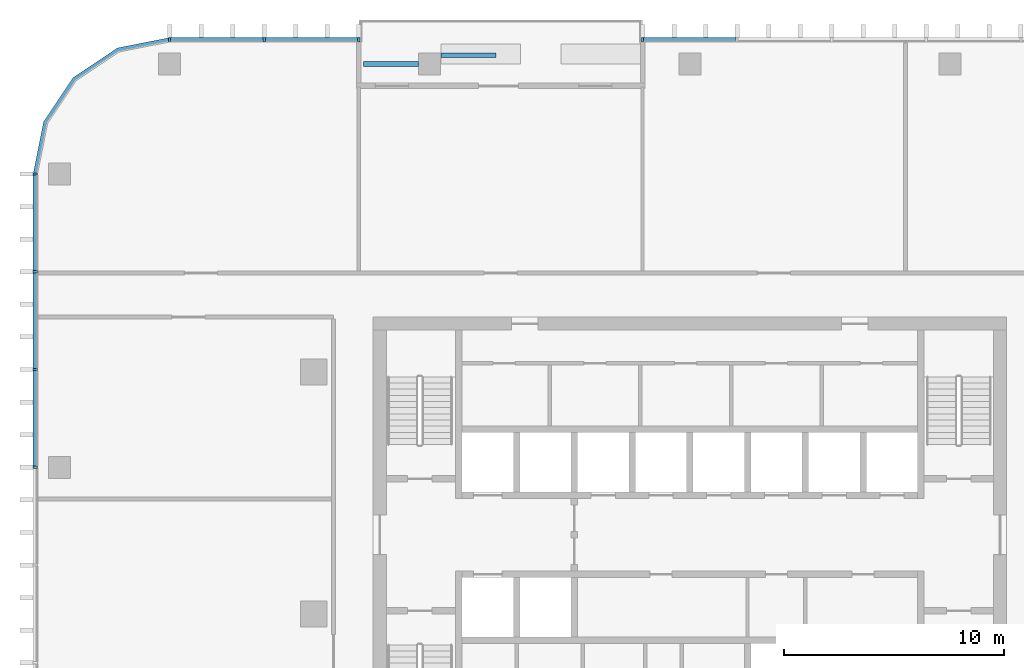
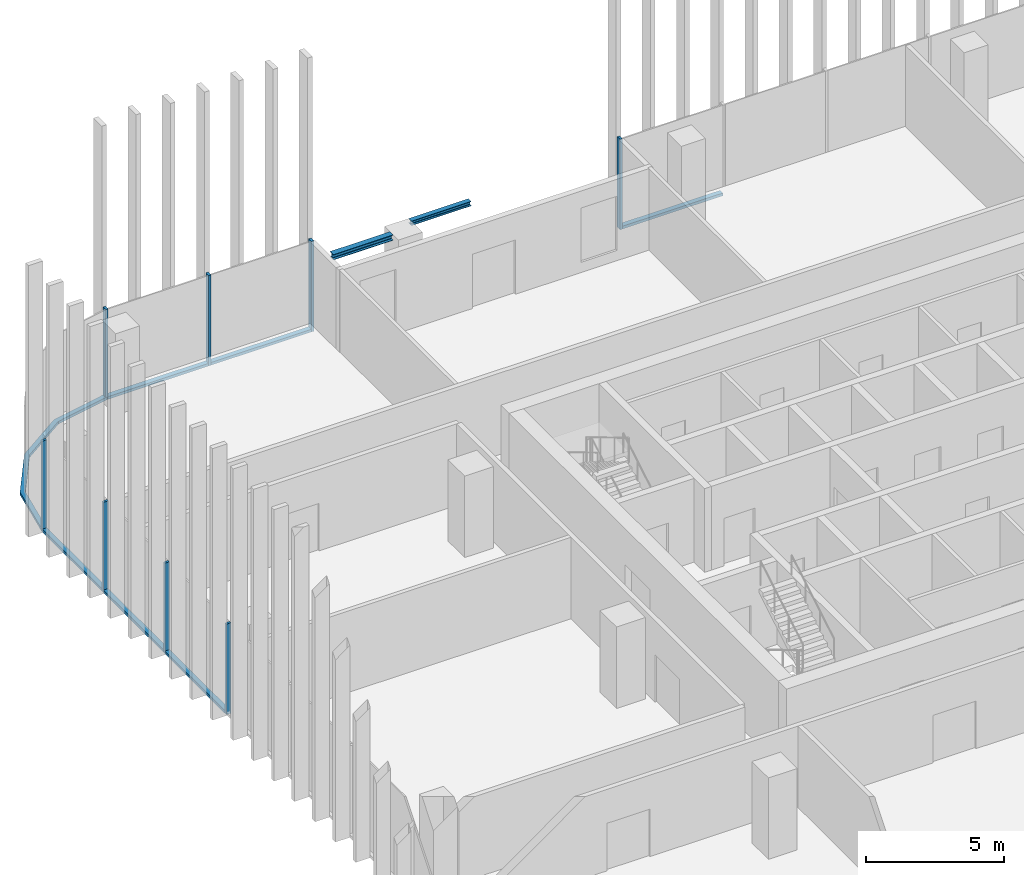
# One storey, part 4 of 16: 15 members, 2 beams, 4 elements without a shape of their own.
"""IFC4 building model written with IfcOpenShell, lengths in metres."""

from ifc_helpers import new_model, si_unit, direction, frame, origin, origin_2d, place, context, subcontext, project, spatial, polyline, rectangle, i_section, outline, extrude, material, material_profile, profile_set, type_object, element, aggregate, save


model = new_model("IFC4")

# Units and contexts
model_context = context("Model", 3, precision=1e-05, world=origin(), true_north=direction((0.0, 1.0)))
body_context = subcontext(model_context, "Body", "Model", "MODEL_VIEW")
ifc_project = project(units=[si_unit("LENGTHUNIT", "METRE"), si_unit("AREAUNIT", "SQUARE_METRE"), si_unit("VOLUMEUNIT", "CUBIC_METRE"), si_unit("PLANEANGLEUNIT", "RADIAN"), si_unit("MASSUNIT", "GRAM", prefix="KILO")], contexts=[model_context])

# Site, building, storey
site_placement = place(None, origin())
site = spatial("IfcSite", under=ifc_project, at=site_placement, CompositionType="ELEMENT")
building_placement = place(site_placement, origin())
building = spatial("IfcBuilding", under=site, at=building_placement, Name="Mopane Tessera Tower", CompositionType="ELEMENT")
storey_placement = place(building_placement, frame((0.0, 0.0, 291.39990234375)))
storey = spatial("IfcBuildingStorey", under=building, at=storey_placement, Name="L63", CompositionType="ELEMENT", Elevation=291.39990234375)

# Curtain wall, member
ifc_material_1 = material(Name="Aluminium frame", Category="aluminium")
curtain_wall_type = type_object("IfcCurtainWallType", Name="Unitised curtain wall", PredefinedType="NOTDEFINED", material=ifc_material_1)
curtain_wall_1_placement = place(storey_placement, origin())
curtain_wall_1 = element("IfcCurtainWall", 1, at=curtain_wall_1_placement, inside=storey, type_object=curtain_wall_type, Name="e:cw:L63:N:0", PredefinedType="NOTDEFINED")
ifc_material_2 = material(Name="Aluminium frame", Category="aluminium")
ifc_material_profile_1 = material_profile(ifc_material_2, rectangle(XDim=0.10009765625, YDim=0.199951171875, at=origin_2d()))
ifc_profile_set_1 = profile_set([ifc_material_profile_1], Name="Aluminium frame")
member_type_1 = type_object("IfcMemberType", Name="Aluminium mullion 100 x 200", PredefinedType="MULLION", material=ifc_profile_set_1)
member_1_placement = place(storey_placement, frame((-2.14990234375, 26.10009765625, -0.39990234375), z_axis=(0.0, 0.0, 1.0), x_axis=(-1.0, 0.0, 0.0)))
member_1 = element("IfcMember", 2, at=member_1_placement, type_object=member_type_1, Name="e:cw:L63:N:0:mu6", PredefinedType="MULLION", context=body_context, shape_type="SweptSolid", body=[
    extrude(rectangle(XDim=0.10009765625, YDim=0.199951171875, at=origin_2d()), origin(), (0.0, 0.0, 1.0), 4.0),
])

# Curtain wall, members
curtain_wall_2_placement = place(storey_placement, origin())
curtain_wall_2 = element("IfcCurtainWall", 3, at=curtain_wall_2_placement, inside=storey, type_object=curtain_wall_type, Name="e:cw:L63:N:9", PredefinedType="NOTDEFINED")
member_2_placement = place(storey_placement, frame((-15.050048828125, 26.10009765625, -0.39990234375), z_axis=(0.0, 0.0, 1.0), x_axis=(-1.0, 0.0, 0.0)))
member_2 = element("IfcMember", 4, at=member_2_placement, type_object=member_type_1, Name="e:cw:L63:N:9:mu9", PredefinedType="MULLION", context=body_context, shape_type="SweptSolid", body=[
    extrude(rectangle(XDim=0.10009765625, YDim=0.199951171875, at=origin_2d()), origin(), (0.0, 0.0, 1.0), 4.0),
])
member_3_placement = place(storey_placement, frame((-19.35009765625, 26.10009765625, -0.39990234375), z_axis=(0.0, 0.0, 1.0), x_axis=(-1.0, 0.0, 0.0)))
member_3 = element("IfcMember", 5, at=member_3_placement, type_object=member_type_1, Name="e:cw:L63:N:9:mu10", PredefinedType="MULLION", context=body_context, shape_type="SweptSolid", body=[
    extrude(rectangle(XDim=0.10009765625, YDim=0.199951171875, at=origin_2d()), origin(), (0.0, 0.0, 1.0), 4.0),
])
member_4_placement = place(storey_placement, frame((-23.64990234375, 26.10009765625, -0.39990234375), z_axis=(0.0, 0.0, 1.0), x_axis=(-1.0, 0.0, 0.0)))
member_4 = element("IfcMember", 6, at=member_4_placement, type_object=member_type_1, Name="e:cw:L63:N:9:mu11", PredefinedType="MULLION", context=body_context, shape_type="SweptSolid", body=[
    extrude(rectangle(XDim=0.10009765625, YDim=0.199951171875, at=origin_2d()), origin(), (0.0, 0.0, 1.0), 4.0),
])

curtain_wall_3_placement = place(storey_placement, origin())
curtain_wall_3 = element("IfcCurtainWall", 7, at=curtain_wall_3_placement, inside=storey, type_object=curtain_wall_type, Name="e:cw:L63:W:0", PredefinedType="NOTDEFINED")
member_5_placement = place(storey_placement, frame((-29.75, 20.0, -0.39990234375), z_axis=(0.0, 0.0, 1.0), x_axis=(0.0, -1.0, 0.0)))
member_5 = element("IfcMember", 8, at=member_5_placement, type_object=member_type_1, Name="e:cw:L63:W:0:mu0", PredefinedType="MULLION", context=body_context, shape_type="SweptSolid", body=[
    extrude(rectangle(XDim=0.10009765625, YDim=0.199951171875, at=origin_2d()), origin(), (0.0, 0.0, 1.0), 4.0),
])
member_6_placement = place(storey_placement, frame((-29.75, 15.5556640625, -0.39990234375), z_axis=(0.0, 0.0, 1.0), x_axis=(0.0, -1.0, 0.0)))
member_6 = element("IfcMember", 9, at=member_6_placement, type_object=member_type_1, Name="e:cw:L63:W:0:mu1", PredefinedType="MULLION", context=body_context, shape_type="SweptSolid", body=[
    extrude(rectangle(XDim=0.10009765625, YDim=0.199951171875, at=origin_2d()), origin(), (0.0, 0.0, 1.0), 4.0),
])
member_7_placement = place(storey_placement, frame((-29.75, 11.111083984375, -0.39990234375), z_axis=(0.0, 0.0, 1.0), x_axis=(0.0, -1.0, 0.0)))
member_7 = element("IfcMember", 10, at=member_7_placement, type_object=member_type_1, Name="e:cw:L63:W:0:mu2", PredefinedType="MULLION", context=body_context, shape_type="SweptSolid", body=[
    extrude(rectangle(XDim=0.10009765625, YDim=0.199951171875, at=origin_2d()), origin(), (0.0, 0.0, 1.0), 4.0),
])
member_8_placement = place(storey_placement, frame((-29.75, 6.666748046875, -0.39990234375), z_axis=(0.0, 0.0, 1.0), x_axis=(0.0, -1.0, 0.0)))
member_8 = element("IfcMember", 11, at=member_8_placement, type_object=member_type_1, Name="e:cw:L63:W:0:mu3", PredefinedType="MULLION", context=body_context, shape_type="SweptSolid", body=[
    extrude(rectangle(XDim=0.10009765625, YDim=0.199951171875, at=origin_2d()), origin(), (0.0, 0.0, 1.0), 4.0),
])

# Member
ifc_material_3 = material(Name="Aluminium frame", Category="aluminium")
ifc_material_profile_2 = material_profile(ifc_material_3, rectangle(XDim=0.199951171875, YDim=0.1201171875, at=origin_2d()))
ifc_profile_set_2 = profile_set([ifc_material_profile_2], Name="Aluminium frame")
member_type_2 = type_object("IfcMemberType", Name="Aluminium transom 200 x 120", PredefinedType="USERDEFINED", material=ifc_profile_set_2)
member_9_placement = place(storey_placement, frame((2.10009765625, 26.10009765625, -0.33984375), z_axis=(-1.0, 0.0, 0.0), x_axis=(0.0, -1.0, 0.0)))
member_9 = element("IfcMember", 12, at=member_9_placement, type_object=member_type_2, Name="e:cw:L63:N:0:tr5", ObjectType="TRANSOM", PredefinedType="USERDEFINED", context=body_context, shape_type="SweptSolid", body=[
    extrude(rectangle(XDim=0.199951171875, YDim=0.1201171875, at=origin_2d()), origin(), (0.0, 0.0, 1.0), 4.2001953125),
])

aggregate(curtain_wall_1, [member_1, member_9])

member_10_placement = place(storey_placement, frame((-15.10009765625, 26.10009765625, -0.33984375), z_axis=(-1.0, 0.0, 0.0), x_axis=(0.0, -1.0, 0.0)))
member_10 = element("IfcMember", 13, at=member_10_placement, type_object=member_type_2, Name="e:cw:L63:N:9:tr9", ObjectType="TRANSOM", PredefinedType="USERDEFINED", context=body_context, shape_type="SweptSolid", body=[
    extrude(rectangle(XDim=0.199951171875, YDim=0.1201171875, at=origin_2d()), origin(), (0.0, 0.0, 1.0), 4.199951171875),
])

member_11_placement = place(storey_placement, frame((-19.39990234375, 26.10009765625, -0.33984375), z_axis=(-1.0, 0.0, 0.0), x_axis=(0.0, -1.0, 0.0)))
member_11 = element("IfcMember", 14, at=member_11_placement, type_object=member_type_2, Name="e:cw:L63:N:9:tr10", ObjectType="TRANSOM", PredefinedType="USERDEFINED", context=body_context, shape_type="SweptSolid", body=[
    extrude(rectangle(XDim=0.199951171875, YDim=0.1201171875, at=origin_2d()), origin(), (0.0, 0.0, 1.0), 4.2001953125),
])

aggregate(curtain_wall_2, [member_2, member_3, member_4, member_10, member_11])

# Curtain wall, member
curtain_wall_4_placement = place(storey_placement, origin())
curtain_wall_4 = element("IfcCurtainWall", 15, at=curtain_wall_4_placement, inside=storey, type_object=curtain_wall_type, Name="e:cw:L63:CN", PredefinedType="NOTDEFINED")
member_12_placement = place(storey_placement, frame((0.0, 0.0, -0.39990234375)))
member_12 = element("IfcMember", 16, at=member_12_placement, type_object=member_type_2, Name="e:cw:L63:CN:tr", ObjectType="TRANSOM", PredefinedType="USERDEFINED", context=body_context, shape_type="SweptSolid", body=[
    extrude(outline(polyline([(-23.64990234375, 26.0), (-25.946044921875, 25.543212890625), (-27.892578125, 24.24267578125), (-29.193359375, 22.296142578125), (-29.64990234375, 20.0), (-29.85009765625, 20.0), (-29.378173828125, 22.37255859375), (-28.0341796875, 24.384033203125), (-26.022705078125, 25.72802734375), (-23.64990234375, 26.199951171875), (-23.64990234375, 26.0)])), origin(), (0.0, 0.0, 1.0), 0.1201171875),
])
aggregate(curtain_wall_4, [member_12])

# Member
member_13_placement = place(storey_placement, frame((-29.75, 19.949951171875, -0.33984375), z_axis=(0.0, -1.0, 0.0), x_axis=(1.0, 0.0, 0.0)))
member_13 = element("IfcMember", 17, at=member_13_placement, type_object=member_type_2, Name="e:cw:L63:W:0:tr0", ObjectType="TRANSOM", PredefinedType="USERDEFINED", context=body_context, shape_type="SweptSolid", body=[
    extrude(rectangle(XDim=0.199951171875, YDim=0.1201171875, at=origin_2d()), origin(), (0.0, 0.0, 1.0), 4.344482421875),
])

member_14_placement = place(storey_placement, frame((-29.75, 15.505615234375, -0.33984375), z_axis=(0.0, -1.0, 0.0), x_axis=(1.0, 0.0, 0.0)))
member_14 = element("IfcMember", 18, at=member_14_placement, type_object=member_type_2, Name="e:cw:L63:W:0:tr1", ObjectType="TRANSOM", PredefinedType="USERDEFINED", context=body_context, shape_type="SweptSolid", body=[
    extrude(rectangle(XDim=0.199951171875, YDim=0.1201171875, at=origin_2d()), origin(), (0.0, 0.0, 1.0), 4.344482421875),
])

member_15_placement = place(storey_placement, frame((-29.75, 11.06103515625, -0.33984375), z_axis=(0.0, -1.0, 0.0), x_axis=(1.0, 0.0, 0.0)))
member_15 = element("IfcMember", 19, at=member_15_placement, type_object=member_type_2, Name="e:cw:L63:W:0:tr2", ObjectType="TRANSOM", PredefinedType="USERDEFINED", context=body_context, shape_type="SweptSolid", body=[
    extrude(rectangle(XDim=0.199951171875, YDim=0.1201171875, at=origin_2d()), origin(), (0.0, 0.0, 1.0), 4.344482421875),
])

aggregate(curtain_wall_3, [member_5, member_6, member_7, member_8, member_13, member_14, member_15])

# Beams
ifc_material_4 = material(Name="Structural steel S460", Category="steel")
ifc_material_profile_3 = material_profile(ifc_material_4, i_section(OverallWidth=0.239990234375, OverallDepth=0.239990234375, WebThickness=0.010009765625, FlangeThickness=0.01708984375, FilletRadius=0.02099609375, at=origin_2d()))
ifc_profile_set_3 = profile_set([ifc_material_profile_3], Name="Structural steel S460")
beam_type_1 = type_object("IfcBeamType", Name="Terrace spandrel beam HE 240 B", PredefinedType="SPANDREL", material=ifc_profile_set_3)
beam_1_placement = place(storey_placement, frame((-12.327880859375, 25.0, 3.47998046875), z_axis=(-1.0, 0.0, 0.0), x_axis=(0.0, -1.0, 0.0)))
element("IfcBeam", 20, at=beam_1_placement, inside=storey, type_object=beam_type_1, Name="Terrace spandrel beam N2 L64", PredefinedType="SPANDREL", context=body_context, shape_type="SweptSolid", body=[
    extrude(i_section(OverallWidth=0.239990234375, OverallDepth=0.239990234375, WebThickness=0.010009765625, FlangeThickness=0.01708984375, FilletRadius=0.02099609375, at=origin_2d()), origin(), (0.0, 0.0, 1.0), 2.5),
])
ifc_material_5 = material(Name="Structural steel S460", Category="steel")
ifc_material_profile_4 = material_profile(ifc_material_5, i_section(OverallWidth=0.199951171875, OverallDepth=0.199951171875, WebThickness=0.009033203125, FlangeThickness=0.014892578125, FilletRadius=0.01806640625, at=origin_2d()))
ifc_profile_set_4 = profile_set([ifc_material_profile_4], Name="Structural steel S460")
beam_type_2 = type_object("IfcBeamType", Name="Terrace trimmer beam HE 200 B", PredefinedType="BEAM", material=ifc_profile_set_4)
beam_2_placement = place(storey_placement, frame((-11.322021484375, 25.39990234375, 3.5), z_axis=(1.0, 0.0, 0.0), x_axis=(0.0, 1.0, 0.0)))
element("IfcBeam", 21, at=beam_2_placement, inside=storey, type_object=beam_type_2, Name="Terrace trimmer beam N2 L64", PredefinedType="BEAM", context=body_context, shape_type="SweptSolid", body=[
    extrude(i_section(OverallWidth=0.199951171875, OverallDepth=0.199951171875, WebThickness=0.009033203125, FlangeThickness=0.014892578125, FilletRadius=0.01806640625, at=origin_2d()), origin(), (0.0, 0.0, 1.0), 2.5),
])

save(model, "model.ifc")
